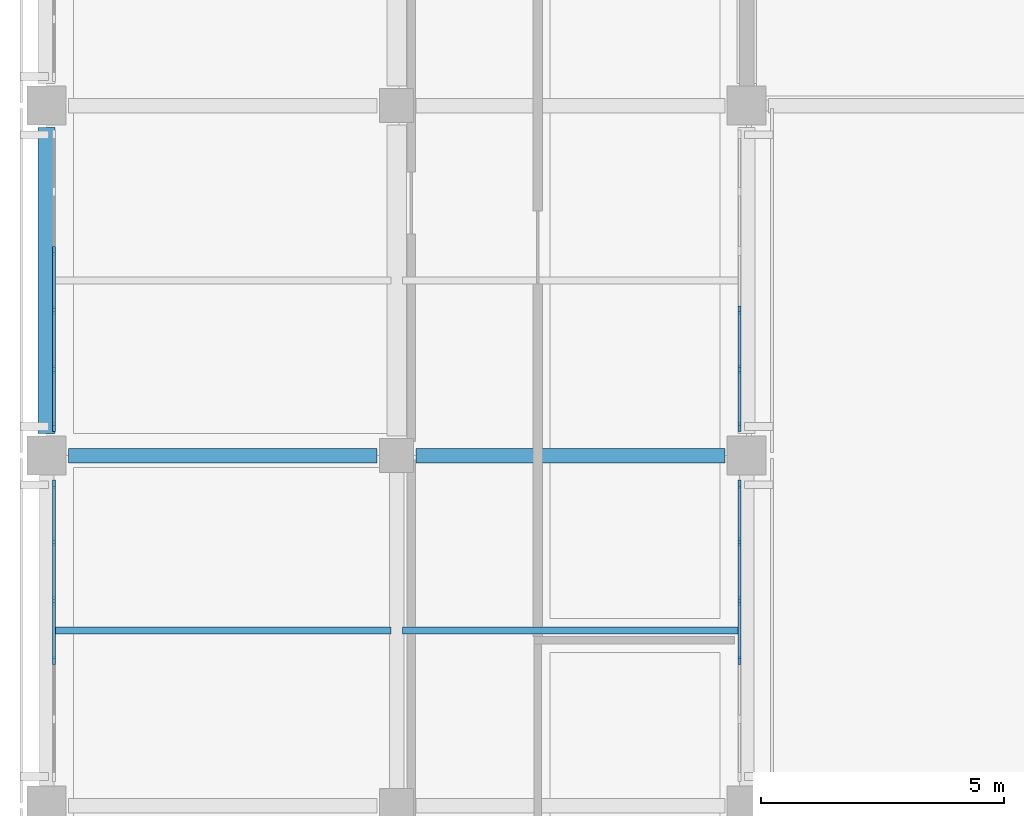
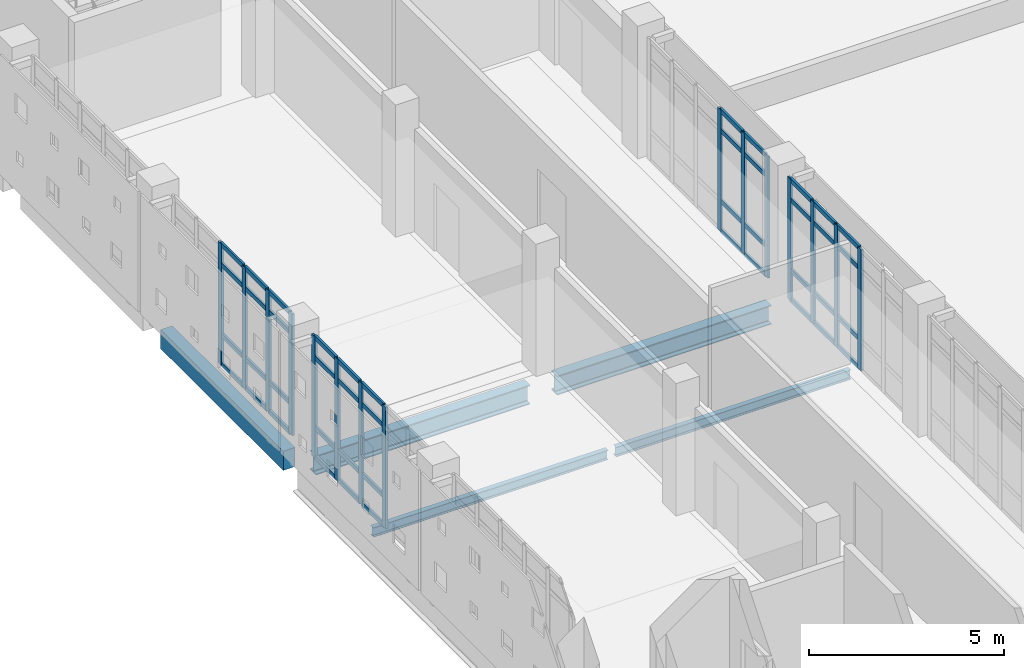
# One storey, part 7 of 51: 59 members, 5 beams, 4 elements without a shape of their own.
"""IFC4 building model written with IfcOpenShell, lengths in metres."""

from ifc_helpers import new_model, si_unit, direction, frame, origin, origin_2d, place, context, subcontext, project, spatial, rectangle, i_section, extrude, material, layer, layer_set, material_profile, profile_set, type_object, element, aggregate, save


model = new_model("IFC4")

# Units and contexts
model_context = context("Model", 3, precision=1e-05, world=origin(), true_north=direction((0.0, 1.0)))
body_context = subcontext(model_context, "Body", "Model", "MODEL_VIEW")
ifc_project = project(units=[si_unit("LENGTHUNIT", "METRE"), si_unit("AREAUNIT", "SQUARE_METRE"), si_unit("VOLUMEUNIT", "CUBIC_METRE"), si_unit("PLANEANGLEUNIT", "RADIAN"), si_unit("MASSUNIT", "GRAM", prefix="KILO")], contexts=[model_context])

# Site, building, storey
site_placement = place(None, origin())
site = spatial("IfcSite", under=ifc_project, at=site_placement, CompositionType="ELEMENT")
building_placement = place(site_placement, origin())
building = spatial("IfcBuilding", under=site, at=building_placement, Name="Valkovuoma Quantum and Materials Research Institute", CompositionType="ELEMENT")
storey_placement = place(building_placement, frame((0.0, 0.0, 17.280029296875)))
storey = spatial("IfcBuildingStorey", under=building, at=storey_placement, Name="L04", CompositionType="ELEMENT", Elevation=17.280029296875)

# Beams
ifc_material_1 = material(Name="Steel S355J2", Category="steel")
ifc_material_profile_1 = material_profile(ifc_material_1, i_section(OverallWidth=0.300048828125, OverallDepth=0.60009765625, WebThickness=0.015380859375, FlangeThickness=0.030029296875, FilletRadius=0.027099609375, at=origin_2d()), Name="Steel S355J2")
ifc_profile_set_1 = profile_set([ifc_material_profile_1], Name="Steel S355J2")
beam_type_1 = type_object("IfcBeamType", Name="Beam-B-HEB600", PredefinedType="BEAM", material=ifc_profile_set_1)
beam_1_placement = place(storey_placement, frame((0.449951171875, 57.60009765625, -0.650146484375), z_axis=(1.0, 0.0, 0.0), x_axis=(0.0, 1.0, 0.0)))
element("IfcBeam", 1, at=beam_1_placement, inside=storey, type_object=beam_type_1, Name="L04 beam X-1835", PredefinedType="BEAM", context=body_context, shape_type="SweptSolid", body=[
    extrude(i_section(OverallWidth=0.300048828125, OverallDepth=0.60009765625, WebThickness=0.015380859375, FlangeThickness=0.030029296875, FilletRadius=0.027099609375, at=origin_2d()), origin(), (0.0, 0.0, 1.0), 6.35009765625),
])
beam_2_placement = place(storey_placement, frame((7.60009765625, 57.60009765625, -0.650146484375), z_axis=(1.0, 0.0, 0.0), x_axis=(0.0, 1.0, 0.0)))
element("IfcBeam", 2, at=beam_2_placement, inside=storey, type_object=beam_type_1, Name="L04 beam X-1836", PredefinedType="BEAM", context=body_context, shape_type="SweptSolid", body=[
    extrude(i_section(OverallWidth=0.300048828125, OverallDepth=0.60009765625, WebThickness=0.015380859375, FlangeThickness=0.030029296875, FilletRadius=0.027099609375, at=origin_2d()), origin(), (0.0, 0.0, 1.0), 6.349853515625),
])
ifc_material_2 = material(Name="Steel S355J2", Category="steel")
ifc_material_profile_2 = material_profile(ifc_material_2, i_section(OverallWidth=0.14990234375, OverallDepth=0.300048828125, WebThickness=0.007080078125, FlangeThickness=0.0107421875, FilletRadius=0.014892578125, at=origin_2d()), Name="Steel S355J2")
ifc_profile_set_2 = profile_set([ifc_material_profile_2], Name="Steel S355J2")
beam_type_2 = type_object("IfcBeamType", Name="Beam-B-JST300", PredefinedType="JOIST", material=ifc_profile_set_2)
for number, where, z_axis, x_axis, name in (
    (3, (0.1201171875, 54.0, -0.5), (1.0, 0.0, 0.0), (0.0, 1.0, 0.0), "L04 floor joist 2033"),
    (4, (7.320068359375, 54.0, -0.5), (1.0, 0.0, 0.0), (0.0, 1.0, 0.0), "L04 floor joist 2034"),
):
    element("IfcBeam", number, at=place(storey_placement, frame(where, z_axis=z_axis, x_axis=x_axis)), inside=storey, type_object=beam_type_2, Name=name, PredefinedType="JOIST", context=body_context, shape_type="SweptSolid", body=[
        extrude(i_section(OverallWidth=0.14990234375, OverallDepth=0.300048828125, WebThickness=0.007080078125, FlangeThickness=0.0107421875, FilletRadius=0.014892578125, at=origin_2d()), origin(), (0.0, 0.0, 1.0), 6.9599609375),
    ])
ifc_material_3 = material(Name="Concrete C40/50", Category="concrete")
ifc_material_profile_3 = material_profile(ifc_material_3, rectangle(XDim=0.35009765625, YDim=0.60009765625, at=origin_2d()), Name="Concrete C40/50")
ifc_profile_set_3 = profile_set([ifc_material_profile_3], Name="Concrete C40/50")
beam_type_3 = type_object("IfcBeamType", Name="Beam-B-SPN600", PredefinedType="SPANDREL", material=ifc_profile_set_3)
beam_3_placement = place(storey_placement, frame((0.0, 58.050048828125, -0.650146484375), z_axis=(0.0, 1.0, 0.0), x_axis=(-1.0, 0.0, 0.0)))
element("IfcBeam", 5, at=beam_3_placement, inside=storey, type_object=beam_type_3, Name="L04 beam Y-1917", PredefinedType="SPANDREL", context=body_context, shape_type="SweptSolid", body=[
    extrude(rectangle(XDim=0.35009765625, YDim=0.60009765625, at=origin_2d()), origin(), (0.0, 0.0, 1.0), 6.300048828125),
])

# Curtain wall, members
ifc_material_4 = material(Name="Thermally broken aluminium and triple low-E glazing", Category="aluminium")
ifc_layer = layer(ifc_material_4, 0.219970703125)
ifc_layer_set = layer_set([ifc_layer], Name="Thermally broken aluminium and triple low-E glazing")
curtain_wall_type = type_object("IfcCurtainWallType", Name="CW-CW-01", PredefinedType="NOTDEFINED", material=ifc_layer_set)
curtain_wall_1_placement = place(storey_placement, origin())
curtain_wall_1 = element("IfcCurtainWall", 6, at=curtain_wall_1_placement, inside=storey, type_object=curtain_wall_type, Name="L04 curtain wall 045", PredefinedType="NOTDEFINED")
ifc_material_5 = material(Name="Anodised aluminium 6060-T66", Category="aluminium")
ifc_material_profile_4 = material_profile(ifc_material_5, rectangle(XDim=0.06494140625, YDim=0.179931640625, at=origin_2d()), Name="Anodised aluminium 6060-T66")
ifc_profile_set_4 = profile_set([ifc_material_profile_4], Name="Anodised aluminium 6060-T66")
member_type_1 = type_object("IfcMemberType", Name="CWMull-CWM-01", PredefinedType="MULLION", material=ifc_profile_set_4)
member_1_placement = place(storey_placement, frame((0.14990234375, 53.391357421875, 0.0), z_axis=(0.0, 0.0, 1.0), x_axis=(-1.0, 0.0, 0.0)))
member_1 = element("IfcMember", 7, at=member_1_placement, type_object=member_type_1, Name="CW-01 mullion 3", PredefinedType="MULLION", context=body_context, shape_type="SweptSolid", body=[
    extrude(rectangle(XDim=0.06494140625, YDim=0.179931640625, at=origin_2d()), origin(), (0.0, 0.0, 1.0), 3.81005859375),
])
member_2_placement = place(storey_placement, frame((0.14990234375, 54.608642578125, 0.0), z_axis=(0.0, 0.0, 1.0), x_axis=(-1.0, 0.0, 0.0)))
member_2 = element("IfcMember", 8, at=member_2_placement, type_object=member_type_1, Name="CW-01 mullion 4", PredefinedType="MULLION", context=body_context, shape_type="SweptSolid", body=[
    extrude(rectangle(XDim=0.06494140625, YDim=0.179931640625, at=origin_2d()), origin(), (0.0, 0.0, 1.0), 3.81005859375),
])
member_3_placement = place(storey_placement, frame((0.14990234375, 55.82568359375, 0.0), z_axis=(0.0, 0.0, 1.0), x_axis=(-1.0, 0.0, 0.0)))
member_3 = element("IfcMember", 9, at=member_3_placement, type_object=member_type_1, Name="CW-01 mullion 5", PredefinedType="MULLION", context=body_context, shape_type="SweptSolid", body=[
    extrude(rectangle(XDim=0.06494140625, YDim=0.179931640625, at=origin_2d()), origin(), (0.0, 0.0, 1.0), 3.81005859375),
])
member_4_placement = place(storey_placement, frame((0.14990234375, 57.010498046875, 0.0), z_axis=(0.0, 0.0, 1.0), x_axis=(-1.0, 0.0, 0.0)))
member_4 = element("IfcMember", 10, at=member_4_placement, type_object=member_type_1, Name="CW-01 mullion 6", PredefinedType="MULLION", context=body_context, shape_type="SweptSolid", body=[
    extrude(rectangle(XDim=0.06494140625, YDim=0.179931640625, at=origin_2d()), origin(), (0.0, 0.0, 1.0), 3.81005859375),
])

curtain_wall_2_placement = place(storey_placement, origin())
curtain_wall_2 = element("IfcCurtainWall", 11, at=curtain_wall_2_placement, inside=storey, type_object=curtain_wall_type, Name="L04 curtain wall 046", PredefinedType="NOTDEFINED")
member_5_placement = place(storey_placement, frame((14.25, 53.391357421875, 0.0), z_axis=(0.0, 0.0, 1.0), x_axis=(-1.0, 0.0, 0.0)))
member_5 = element("IfcMember", 12, at=member_5_placement, type_object=member_type_1, Name="CW-01 mullion 3", PredefinedType="MULLION", context=body_context, shape_type="SweptSolid", body=[
    extrude(rectangle(XDim=0.06494140625, YDim=0.179931640625, at=origin_2d()), origin(), (0.0, 0.0, 1.0), 3.81005859375),
])
member_6_placement = place(storey_placement, frame((14.25, 54.608642578125, 0.0), z_axis=(0.0, 0.0, 1.0), x_axis=(-1.0, 0.0, 0.0)))
member_6 = element("IfcMember", 13, at=member_6_placement, type_object=member_type_1, Name="CW-01 mullion 4", PredefinedType="MULLION", context=body_context, shape_type="SweptSolid", body=[
    extrude(rectangle(XDim=0.06494140625, YDim=0.179931640625, at=origin_2d()), origin(), (0.0, 0.0, 1.0), 3.81005859375),
])
member_7_placement = place(storey_placement, frame((14.25, 55.82568359375, 0.0), z_axis=(0.0, 0.0, 1.0), x_axis=(-1.0, 0.0, 0.0)))
member_7 = element("IfcMember", 14, at=member_7_placement, type_object=member_type_1, Name="CW-01 mullion 5", PredefinedType="MULLION", context=body_context, shape_type="SweptSolid", body=[
    extrude(rectangle(XDim=0.06494140625, YDim=0.179931640625, at=origin_2d()), origin(), (0.0, 0.0, 1.0), 3.81005859375),
])
member_8_placement = place(storey_placement, frame((14.25, 57.010498046875, 0.0), z_axis=(0.0, 0.0, 1.0), x_axis=(-1.0, 0.0, 0.0)))
member_8 = element("IfcMember", 15, at=member_8_placement, type_object=member_type_1, Name="CW-01 mullion 6", PredefinedType="MULLION", context=body_context, shape_type="SweptSolid", body=[
    extrude(rectangle(XDim=0.06494140625, YDim=0.179931640625, at=origin_2d()), origin(), (0.0, 0.0, 1.0), 3.81005859375),
])

curtain_wall_3_placement = place(storey_placement, origin())
curtain_wall_3 = element("IfcCurtainWall", 16, at=curtain_wall_3_placement, inside=storey, type_object=curtain_wall_type, Name="L04 curtain wall 047", PredefinedType="NOTDEFINED")
member_9_placement = place(storey_placement, frame((0.14990234375, 58.189697265625, 0.0), z_axis=(0.0, 0.0, 1.0), x_axis=(-1.0, 0.0, 0.0)))
member_9 = element("IfcMember", 17, at=member_9_placement, type_object=member_type_1, Name="CW-01 mullion 1", PredefinedType="MULLION", context=body_context, shape_type="SweptSolid", body=[
    extrude(rectangle(XDim=0.06494140625, YDim=0.179931640625, at=origin_2d()), origin(), (0.0, 0.0, 1.0), 3.81005859375),
])
member_10_placement = place(storey_placement, frame((0.14990234375, 59.374267578125, 0.0), z_axis=(0.0, 0.0, 1.0), x_axis=(-1.0, 0.0, 0.0)))
member_10 = element("IfcMember", 18, at=member_10_placement, type_object=member_type_1, Name="CW-01 mullion 2", PredefinedType="MULLION", context=body_context, shape_type="SweptSolid", body=[
    extrude(rectangle(XDim=0.06494140625, YDim=0.179931640625, at=origin_2d()), origin(), (0.0, 0.0, 1.0), 3.81005859375),
])
member_11_placement = place(storey_placement, frame((0.14990234375, 60.59130859375, 0.0), z_axis=(0.0, 0.0, 1.0), x_axis=(-1.0, 0.0, 0.0)))
member_11 = element("IfcMember", 19, at=member_11_placement, type_object=member_type_1, Name="CW-01 mullion 3", PredefinedType="MULLION", context=body_context, shape_type="SweptSolid", body=[
    extrude(rectangle(XDim=0.06494140625, YDim=0.179931640625, at=origin_2d()), origin(), (0.0, 0.0, 1.0), 3.81005859375),
])
member_12_placement = place(storey_placement, frame((0.14990234375, 61.80859375, 0.0), z_axis=(0.0, 0.0, 1.0), x_axis=(-1.0, 0.0, 0.0)))
member_12 = element("IfcMember", 20, at=member_12_placement, type_object=member_type_1, Name="CW-01 mullion 4", PredefinedType="MULLION", context=body_context, shape_type="SweptSolid", body=[
    extrude(rectangle(XDim=0.06494140625, YDim=0.179931640625, at=origin_2d()), origin(), (0.0, 0.0, 1.0), 3.81005859375),
])

curtain_wall_4_placement = place(storey_placement, origin())
curtain_wall_4 = element("IfcCurtainWall", 21, at=curtain_wall_4_placement, inside=storey, type_object=curtain_wall_type, Name="L04 curtain wall 048", PredefinedType="NOTDEFINED")
member_13_placement = place(storey_placement, frame((14.25, 58.189697265625, 0.0), z_axis=(0.0, 0.0, 1.0), x_axis=(-1.0, 0.0, 0.0)))
member_13 = element("IfcMember", 22, at=member_13_placement, type_object=member_type_1, Name="CW-01 mullion 1", PredefinedType="MULLION", context=body_context, shape_type="SweptSolid", body=[
    extrude(rectangle(XDim=0.06494140625, YDim=0.179931640625, at=origin_2d()), origin(), (0.0, 0.0, 1.0), 3.81005859375),
])
member_14_placement = place(storey_placement, frame((14.25, 59.374267578125, 0.0), z_axis=(0.0, 0.0, 1.0), x_axis=(-1.0, 0.0, 0.0)))
member_14 = element("IfcMember", 23, at=member_14_placement, type_object=member_type_1, Name="CW-01 mullion 2", PredefinedType="MULLION", context=body_context, shape_type="SweptSolid", body=[
    extrude(rectangle(XDim=0.06494140625, YDim=0.179931640625, at=origin_2d()), origin(), (0.0, 0.0, 1.0), 3.81005859375),
])
member_15_placement = place(storey_placement, frame((14.25, 60.59130859375, 0.0), z_axis=(0.0, 0.0, 1.0), x_axis=(-1.0, 0.0, 0.0)))
member_15 = element("IfcMember", 24, at=member_15_placement, type_object=member_type_1, Name="CW-01 mullion 3", PredefinedType="MULLION", context=body_context, shape_type="SweptSolid", body=[
    extrude(rectangle(XDim=0.06494140625, YDim=0.179931640625, at=origin_2d()), origin(), (0.0, 0.0, 1.0), 3.81005859375),
])

# Member
ifc_material_6 = material(Name="Anodised aluminium 6060-T66", Category="aluminium")
ifc_material_profile_5 = material_profile(ifc_material_6, rectangle(XDim=0.06494140625, YDim=0.139892578125, at=origin_2d()), Name="Anodised aluminium 6060-T66")
ifc_profile_set_5 = profile_set([ifc_material_profile_5], Name="Anodised aluminium 6060-T66")
member_type_2 = type_object("IfcMemberType", Name="CWTran-CWT-01", PredefinedType="USERDEFINED", material=ifc_profile_set_5)
member_16_placement = place(storey_placement, frame((0.14990234375, 53.423828125, 0.032470703125), z_axis=(0.0, 1.0, 0.0), x_axis=(-1.0, 0.0, 0.0)))
member_16 = element("IfcMember", 25, at=member_16_placement, type_object=member_type_2, Name="CW-01 transom 3.1", ObjectType="TRANSOM", PredefinedType="USERDEFINED", context=body_context, shape_type="SweptSolid", body=[
    extrude(rectangle(XDim=0.06494140625, YDim=0.139892578125, at=origin_2d()), origin(), (0.0, 0.0, 1.0), 1.15234375),
])

member_17_placement = place(storey_placement, frame((0.14990234375, 53.423828125, 0.949951171875), z_axis=(0.0, 1.0, 0.0), x_axis=(-1.0, 0.0, 0.0)))
member_17 = element("IfcMember", 26, at=member_17_placement, type_object=member_type_2, Name="CW-01 transom 3.2", ObjectType="TRANSOM", PredefinedType="USERDEFINED", context=body_context, shape_type="SweptSolid", body=[
    extrude(rectangle(XDim=0.06494140625, YDim=0.139892578125, at=origin_2d()), origin(), (0.0, 0.0, 1.0), 1.15234375),
])

member_18_placement = place(storey_placement, frame((0.14990234375, 53.423828125, 3.159912109375), z_axis=(0.0, 1.0, 0.0), x_axis=(-1.0, 0.0, 0.0)))
member_18 = element("IfcMember", 27, at=member_18_placement, type_object=member_type_2, Name="CW-01 transom 3.3", ObjectType="TRANSOM", PredefinedType="USERDEFINED", context=body_context, shape_type="SweptSolid", body=[
    extrude(rectangle(XDim=0.06494140625, YDim=0.139892578125, at=origin_2d()), origin(), (0.0, 0.0, 1.0), 1.15234375),
])

member_19_placement = place(storey_placement, frame((0.14990234375, 53.423828125, 3.777587890625), z_axis=(0.0, 1.0, 0.0), x_axis=(-1.0, 0.0, 0.0)))
member_19 = element("IfcMember", 28, at=member_19_placement, type_object=member_type_2, Name="CW-01 transom 3.4", ObjectType="TRANSOM", PredefinedType="USERDEFINED", context=body_context, shape_type="SweptSolid", body=[
    extrude(rectangle(XDim=0.06494140625, YDim=0.139892578125, at=origin_2d()), origin(), (0.0, 0.0, 1.0), 1.15234375),
])

member_20_placement = place(storey_placement, frame((0.14990234375, 54.64111328125, 0.032470703125), z_axis=(0.0, 1.0, 0.0), x_axis=(-1.0, 0.0, 0.0)))
member_20 = element("IfcMember", 29, at=member_20_placement, type_object=member_type_2, Name="CW-01 transom 4.1", ObjectType="TRANSOM", PredefinedType="USERDEFINED", context=body_context, shape_type="SweptSolid", body=[
    extrude(rectangle(XDim=0.06494140625, YDim=0.139892578125, at=origin_2d()), origin(), (0.0, 0.0, 1.0), 1.152099609375),
])

member_21_placement = place(storey_placement, frame((0.14990234375, 54.64111328125, 0.949951171875), z_axis=(0.0, 1.0, 0.0), x_axis=(-1.0, 0.0, 0.0)))
member_21 = element("IfcMember", 30, at=member_21_placement, type_object=member_type_2, Name="CW-01 transom 4.2", ObjectType="TRANSOM", PredefinedType="USERDEFINED", context=body_context, shape_type="SweptSolid", body=[
    extrude(rectangle(XDim=0.06494140625, YDim=0.139892578125, at=origin_2d()), origin(), (0.0, 0.0, 1.0), 1.152099609375),
])

member_22_placement = place(storey_placement, frame((0.14990234375, 54.64111328125, 3.159912109375), z_axis=(0.0, 1.0, 0.0), x_axis=(-1.0, 0.0, 0.0)))
member_22 = element("IfcMember", 31, at=member_22_placement, type_object=member_type_2, Name="CW-01 transom 4.3", ObjectType="TRANSOM", PredefinedType="USERDEFINED", context=body_context, shape_type="SweptSolid", body=[
    extrude(rectangle(XDim=0.06494140625, YDim=0.139892578125, at=origin_2d()), origin(), (0.0, 0.0, 1.0), 1.152099609375),
])

member_23_placement = place(storey_placement, frame((0.14990234375, 54.64111328125, 3.777587890625), z_axis=(0.0, 1.0, 0.0), x_axis=(-1.0, 0.0, 0.0)))
member_23 = element("IfcMember", 32, at=member_23_placement, type_object=member_type_2, Name="CW-01 transom 4.4", ObjectType="TRANSOM", PredefinedType="USERDEFINED", context=body_context, shape_type="SweptSolid", body=[
    extrude(rectangle(XDim=0.06494140625, YDim=0.139892578125, at=origin_2d()), origin(), (0.0, 0.0, 1.0), 1.152099609375),
])

member_24_placement = place(storey_placement, frame((0.14990234375, 55.858154296875, 0.032470703125), z_axis=(0.0, 1.0, 0.0), x_axis=(-1.0, 0.0, 0.0)))
member_24 = element("IfcMember", 33, at=member_24_placement, type_object=member_type_2, Name="CW-01 transom 5.1", ObjectType="TRANSOM", PredefinedType="USERDEFINED", context=body_context, shape_type="SweptSolid", body=[
    extrude(rectangle(XDim=0.06494140625, YDim=0.139892578125, at=origin_2d()), origin(), (0.0, 0.0, 1.0), 1.11962890625),
])

member_25_placement = place(storey_placement, frame((0.14990234375, 55.858154296875, 0.949951171875), z_axis=(0.0, 1.0, 0.0), x_axis=(-1.0, 0.0, 0.0)))
member_25 = element("IfcMember", 34, at=member_25_placement, type_object=member_type_2, Name="CW-01 transom 5.2", ObjectType="TRANSOM", PredefinedType="USERDEFINED", context=body_context, shape_type="SweptSolid", body=[
    extrude(rectangle(XDim=0.06494140625, YDim=0.139892578125, at=origin_2d()), origin(), (0.0, 0.0, 1.0), 1.11962890625),
])

member_26_placement = place(storey_placement, frame((0.14990234375, 55.858154296875, 3.159912109375), z_axis=(0.0, 1.0, 0.0), x_axis=(-1.0, 0.0, 0.0)))
member_26 = element("IfcMember", 35, at=member_26_placement, type_object=member_type_2, Name="CW-01 transom 5.3", ObjectType="TRANSOM", PredefinedType="USERDEFINED", context=body_context, shape_type="SweptSolid", body=[
    extrude(rectangle(XDim=0.06494140625, YDim=0.139892578125, at=origin_2d()), origin(), (0.0, 0.0, 1.0), 1.11962890625),
])

member_27_placement = place(storey_placement, frame((0.14990234375, 55.858154296875, 3.777587890625), z_axis=(0.0, 1.0, 0.0), x_axis=(-1.0, 0.0, 0.0)))
member_27 = element("IfcMember", 36, at=member_27_placement, type_object=member_type_2, Name="CW-01 transom 5.4", ObjectType="TRANSOM", PredefinedType="USERDEFINED", context=body_context, shape_type="SweptSolid", body=[
    extrude(rectangle(XDim=0.06494140625, YDim=0.139892578125, at=origin_2d()), origin(), (0.0, 0.0, 1.0), 1.11962890625),
])

aggregate(curtain_wall_1, [member_1, member_2, member_3, member_4, member_16, member_17, member_18, member_19, member_20, member_21, member_22, member_23, member_24, member_25, member_26, member_27])

member_28_placement = place(storey_placement, frame((14.25, 53.423828125, 0.032470703125), z_axis=(0.0, 1.0, 0.0), x_axis=(-1.0, 0.0, 0.0)))
member_28 = element("IfcMember", 37, at=member_28_placement, type_object=member_type_2, Name="CW-01 transom 3.1", ObjectType="TRANSOM", PredefinedType="USERDEFINED", context=body_context, shape_type="SweptSolid", body=[
    extrude(rectangle(XDim=0.06494140625, YDim=0.139892578125, at=origin_2d()), origin(), (0.0, 0.0, 1.0), 1.15234375),
])

member_29_placement = place(storey_placement, frame((14.25, 53.423828125, 0.949951171875), z_axis=(0.0, 1.0, 0.0), x_axis=(-1.0, 0.0, 0.0)))
member_29 = element("IfcMember", 38, at=member_29_placement, type_object=member_type_2, Name="CW-01 transom 3.2", ObjectType="TRANSOM", PredefinedType="USERDEFINED", context=body_context, shape_type="SweptSolid", body=[
    extrude(rectangle(XDim=0.06494140625, YDim=0.139892578125, at=origin_2d()), origin(), (0.0, 0.0, 1.0), 1.15234375),
])

member_30_placement = place(storey_placement, frame((14.25, 53.423828125, 3.159912109375), z_axis=(0.0, 1.0, 0.0), x_axis=(-1.0, 0.0, 0.0)))
member_30 = element("IfcMember", 39, at=member_30_placement, type_object=member_type_2, Name="CW-01 transom 3.3", ObjectType="TRANSOM", PredefinedType="USERDEFINED", context=body_context, shape_type="SweptSolid", body=[
    extrude(rectangle(XDim=0.06494140625, YDim=0.139892578125, at=origin_2d()), origin(), (0.0, 0.0, 1.0), 1.15234375),
])

member_31_placement = place(storey_placement, frame((14.25, 53.423828125, 3.777587890625), z_axis=(0.0, 1.0, 0.0), x_axis=(-1.0, 0.0, 0.0)))
member_31 = element("IfcMember", 40, at=member_31_placement, type_object=member_type_2, Name="CW-01 transom 3.4", ObjectType="TRANSOM", PredefinedType="USERDEFINED", context=body_context, shape_type="SweptSolid", body=[
    extrude(rectangle(XDim=0.06494140625, YDim=0.139892578125, at=origin_2d()), origin(), (0.0, 0.0, 1.0), 1.15234375),
])

member_32_placement = place(storey_placement, frame((14.25, 54.64111328125, 0.032470703125), z_axis=(0.0, 1.0, 0.0), x_axis=(-1.0, 0.0, 0.0)))
member_32 = element("IfcMember", 41, at=member_32_placement, type_object=member_type_2, Name="CW-01 transom 4.1", ObjectType="TRANSOM", PredefinedType="USERDEFINED", context=body_context, shape_type="SweptSolid", body=[
    extrude(rectangle(XDim=0.06494140625, YDim=0.139892578125, at=origin_2d()), origin(), (0.0, 0.0, 1.0), 1.152099609375),
])

member_33_placement = place(storey_placement, frame((14.25, 54.64111328125, 0.949951171875), z_axis=(0.0, 1.0, 0.0), x_axis=(-1.0, 0.0, 0.0)))
member_33 = element("IfcMember", 42, at=member_33_placement, type_object=member_type_2, Name="CW-01 transom 4.2", ObjectType="TRANSOM", PredefinedType="USERDEFINED", context=body_context, shape_type="SweptSolid", body=[
    extrude(rectangle(XDim=0.06494140625, YDim=0.139892578125, at=origin_2d()), origin(), (0.0, 0.0, 1.0), 1.152099609375),
])

member_34_placement = place(storey_placement, frame((14.25, 54.64111328125, 3.159912109375), z_axis=(0.0, 1.0, 0.0), x_axis=(-1.0, 0.0, 0.0)))
member_34 = element("IfcMember", 43, at=member_34_placement, type_object=member_type_2, Name="CW-01 transom 4.3", ObjectType="TRANSOM", PredefinedType="USERDEFINED", context=body_context, shape_type="SweptSolid", body=[
    extrude(rectangle(XDim=0.06494140625, YDim=0.139892578125, at=origin_2d()), origin(), (0.0, 0.0, 1.0), 1.152099609375),
])

member_35_placement = place(storey_placement, frame((14.25, 54.64111328125, 3.777587890625), z_axis=(0.0, 1.0, 0.0), x_axis=(-1.0, 0.0, 0.0)))
member_35 = element("IfcMember", 44, at=member_35_placement, type_object=member_type_2, Name="CW-01 transom 4.4", ObjectType="TRANSOM", PredefinedType="USERDEFINED", context=body_context, shape_type="SweptSolid", body=[
    extrude(rectangle(XDim=0.06494140625, YDim=0.139892578125, at=origin_2d()), origin(), (0.0, 0.0, 1.0), 1.152099609375),
])

member_36_placement = place(storey_placement, frame((14.25, 55.858154296875, 0.032470703125), z_axis=(0.0, 1.0, 0.0), x_axis=(-1.0, 0.0, 0.0)))
member_36 = element("IfcMember", 45, at=member_36_placement, type_object=member_type_2, Name="CW-01 transom 5.1", ObjectType="TRANSOM", PredefinedType="USERDEFINED", context=body_context, shape_type="SweptSolid", body=[
    extrude(rectangle(XDim=0.06494140625, YDim=0.139892578125, at=origin_2d()), origin(), (0.0, 0.0, 1.0), 1.11962890625),
])

member_37_placement = place(storey_placement, frame((14.25, 55.858154296875, 0.949951171875), z_axis=(0.0, 1.0, 0.0), x_axis=(-1.0, 0.0, 0.0)))
member_37 = element("IfcMember", 46, at=member_37_placement, type_object=member_type_2, Name="CW-01 transom 5.2", ObjectType="TRANSOM", PredefinedType="USERDEFINED", context=body_context, shape_type="SweptSolid", body=[
    extrude(rectangle(XDim=0.06494140625, YDim=0.139892578125, at=origin_2d()), origin(), (0.0, 0.0, 1.0), 1.11962890625),
])

member_38_placement = place(storey_placement, frame((14.25, 55.858154296875, 3.159912109375), z_axis=(0.0, 1.0, 0.0), x_axis=(-1.0, 0.0, 0.0)))
member_38 = element("IfcMember", 47, at=member_38_placement, type_object=member_type_2, Name="CW-01 transom 5.3", ObjectType="TRANSOM", PredefinedType="USERDEFINED", context=body_context, shape_type="SweptSolid", body=[
    extrude(rectangle(XDim=0.06494140625, YDim=0.139892578125, at=origin_2d()), origin(), (0.0, 0.0, 1.0), 1.11962890625),
])

member_39_placement = place(storey_placement, frame((14.25, 55.858154296875, 3.777587890625), z_axis=(0.0, 1.0, 0.0), x_axis=(-1.0, 0.0, 0.0)))
member_39 = element("IfcMember", 48, at=member_39_placement, type_object=member_type_2, Name="CW-01 transom 5.4", ObjectType="TRANSOM", PredefinedType="USERDEFINED", context=body_context, shape_type="SweptSolid", body=[
    extrude(rectangle(XDim=0.06494140625, YDim=0.139892578125, at=origin_2d()), origin(), (0.0, 0.0, 1.0), 1.11962890625),
])

aggregate(curtain_wall_2, [member_5, member_6, member_7, member_8, member_28, member_29, member_30, member_31, member_32, member_33, member_34, member_35, member_36, member_37, member_38, member_39])

member_40_placement = place(storey_placement, frame((0.14990234375, 58.22216796875, 0.032470703125), z_axis=(0.0, 1.0, 0.0), x_axis=(-1.0, 0.0, 0.0)))
member_40 = element("IfcMember", 49, at=member_40_placement, type_object=member_type_2, Name="CW-01 transom 1.1", ObjectType="TRANSOM", PredefinedType="USERDEFINED", context=body_context, shape_type="SweptSolid", body=[
    extrude(rectangle(XDim=0.06494140625, YDim=0.139892578125, at=origin_2d()), origin(), (0.0, 0.0, 1.0), 1.11962890625),
])

member_41_placement = place(storey_placement, frame((0.14990234375, 58.22216796875, 0.949951171875), z_axis=(0.0, 1.0, 0.0), x_axis=(-1.0, 0.0, 0.0)))
member_41 = element("IfcMember", 50, at=member_41_placement, type_object=member_type_2, Name="CW-01 transom 1.2", ObjectType="TRANSOM", PredefinedType="USERDEFINED", context=body_context, shape_type="SweptSolid", body=[
    extrude(rectangle(XDim=0.06494140625, YDim=0.139892578125, at=origin_2d()), origin(), (0.0, 0.0, 1.0), 1.11962890625),
])

member_42_placement = place(storey_placement, frame((0.14990234375, 58.22216796875, 3.159912109375), z_axis=(0.0, 1.0, 0.0), x_axis=(-1.0, 0.0, 0.0)))
member_42 = element("IfcMember", 51, at=member_42_placement, type_object=member_type_2, Name="CW-01 transom 1.3", ObjectType="TRANSOM", PredefinedType="USERDEFINED", context=body_context, shape_type="SweptSolid", body=[
    extrude(rectangle(XDim=0.06494140625, YDim=0.139892578125, at=origin_2d()), origin(), (0.0, 0.0, 1.0), 1.11962890625),
])

member_43_placement = place(storey_placement, frame((0.14990234375, 58.22216796875, 3.777587890625), z_axis=(0.0, 1.0, 0.0), x_axis=(-1.0, 0.0, 0.0)))
member_43 = element("IfcMember", 52, at=member_43_placement, type_object=member_type_2, Name="CW-01 transom 1.4", ObjectType="TRANSOM", PredefinedType="USERDEFINED", context=body_context, shape_type="SweptSolid", body=[
    extrude(rectangle(XDim=0.06494140625, YDim=0.139892578125, at=origin_2d()), origin(), (0.0, 0.0, 1.0), 1.11962890625),
])

member_44_placement = place(storey_placement, frame((0.14990234375, 59.40673828125, 0.032470703125), z_axis=(0.0, 1.0, 0.0), x_axis=(-1.0, 0.0, 0.0)))
member_44 = element("IfcMember", 53, at=member_44_placement, type_object=member_type_2, Name="CW-01 transom 2.1", ObjectType="TRANSOM", PredefinedType="USERDEFINED", context=body_context, shape_type="SweptSolid", body=[
    extrude(rectangle(XDim=0.06494140625, YDim=0.139892578125, at=origin_2d()), origin(), (0.0, 0.0, 1.0), 1.152099609375),
])

member_45_placement = place(storey_placement, frame((0.14990234375, 59.40673828125, 0.949951171875), z_axis=(0.0, 1.0, 0.0), x_axis=(-1.0, 0.0, 0.0)))
member_45 = element("IfcMember", 54, at=member_45_placement, type_object=member_type_2, Name="CW-01 transom 2.2", ObjectType="TRANSOM", PredefinedType="USERDEFINED", context=body_context, shape_type="SweptSolid", body=[
    extrude(rectangle(XDim=0.06494140625, YDim=0.139892578125, at=origin_2d()), origin(), (0.0, 0.0, 1.0), 1.152099609375),
])

member_46_placement = place(storey_placement, frame((0.14990234375, 59.40673828125, 3.159912109375), z_axis=(0.0, 1.0, 0.0), x_axis=(-1.0, 0.0, 0.0)))
member_46 = element("IfcMember", 55, at=member_46_placement, type_object=member_type_2, Name="CW-01 transom 2.3", ObjectType="TRANSOM", PredefinedType="USERDEFINED", context=body_context, shape_type="SweptSolid", body=[
    extrude(rectangle(XDim=0.06494140625, YDim=0.139892578125, at=origin_2d()), origin(), (0.0, 0.0, 1.0), 1.152099609375),
])

member_47_placement = place(storey_placement, frame((0.14990234375, 59.40673828125, 3.777587890625), z_axis=(0.0, 1.0, 0.0), x_axis=(-1.0, 0.0, 0.0)))
member_47 = element("IfcMember", 56, at=member_47_placement, type_object=member_type_2, Name="CW-01 transom 2.4", ObjectType="TRANSOM", PredefinedType="USERDEFINED", context=body_context, shape_type="SweptSolid", body=[
    extrude(rectangle(XDim=0.06494140625, YDim=0.139892578125, at=origin_2d()), origin(), (0.0, 0.0, 1.0), 1.152099609375),
])

member_48_placement = place(storey_placement, frame((0.14990234375, 60.6240234375, 0.032470703125), z_axis=(0.0, 1.0, 0.0), x_axis=(-1.0, 0.0, 0.0)))
member_48 = element("IfcMember", 57, at=member_48_placement, type_object=member_type_2, Name="CW-01 transom 3.1", ObjectType="TRANSOM", PredefinedType="USERDEFINED", context=body_context, shape_type="SweptSolid", body=[
    extrude(rectangle(XDim=0.06494140625, YDim=0.139892578125, at=origin_2d()), origin(), (0.0, 0.0, 1.0), 1.152099609375),
])

member_49_placement = place(storey_placement, frame((0.14990234375, 60.6240234375, 0.949951171875), z_axis=(0.0, 1.0, 0.0), x_axis=(-1.0, 0.0, 0.0)))
member_49 = element("IfcMember", 58, at=member_49_placement, type_object=member_type_2, Name="CW-01 transom 3.2", ObjectType="TRANSOM", PredefinedType="USERDEFINED", context=body_context, shape_type="SweptSolid", body=[
    extrude(rectangle(XDim=0.06494140625, YDim=0.139892578125, at=origin_2d()), origin(), (0.0, 0.0, 1.0), 1.152099609375),
])

member_50_placement = place(storey_placement, frame((0.14990234375, 60.6240234375, 3.159912109375), z_axis=(0.0, 1.0, 0.0), x_axis=(-1.0, 0.0, 0.0)))
member_50 = element("IfcMember", 59, at=member_50_placement, type_object=member_type_2, Name="CW-01 transom 3.3", ObjectType="TRANSOM", PredefinedType="USERDEFINED", context=body_context, shape_type="SweptSolid", body=[
    extrude(rectangle(XDim=0.06494140625, YDim=0.139892578125, at=origin_2d()), origin(), (0.0, 0.0, 1.0), 1.152099609375),
])

member_51_placement = place(storey_placement, frame((0.14990234375, 60.6240234375, 3.777587890625), z_axis=(0.0, 1.0, 0.0), x_axis=(-1.0, 0.0, 0.0)))
member_51 = element("IfcMember", 60, at=member_51_placement, type_object=member_type_2, Name="CW-01 transom 3.4", ObjectType="TRANSOM", PredefinedType="USERDEFINED", context=body_context, shape_type="SweptSolid", body=[
    extrude(rectangle(XDim=0.06494140625, YDim=0.139892578125, at=origin_2d()), origin(), (0.0, 0.0, 1.0), 1.152099609375),
])

aggregate(curtain_wall_3, [member_9, member_10, member_11, member_12, member_40, member_41, member_42, member_43, member_44, member_45, member_46, member_47, member_48, member_49, member_50, member_51])

member_52_placement = place(storey_placement, frame((14.25, 58.22216796875, 0.032470703125), z_axis=(0.0, 1.0, 0.0), x_axis=(-1.0, 0.0, 0.0)))
member_52 = element("IfcMember", 61, at=member_52_placement, type_object=member_type_2, Name="CW-01 transom 1.1", ObjectType="TRANSOM", PredefinedType="USERDEFINED", context=body_context, shape_type="SweptSolid", body=[
    extrude(rectangle(XDim=0.06494140625, YDim=0.139892578125, at=origin_2d()), origin(), (0.0, 0.0, 1.0), 1.11962890625),
])

member_53_placement = place(storey_placement, frame((14.25, 58.22216796875, 0.949951171875), z_axis=(0.0, 1.0, 0.0), x_axis=(-1.0, 0.0, 0.0)))
member_53 = element("IfcMember", 62, at=member_53_placement, type_object=member_type_2, Name="CW-01 transom 1.2", ObjectType="TRANSOM", PredefinedType="USERDEFINED", context=body_context, shape_type="SweptSolid", body=[
    extrude(rectangle(XDim=0.06494140625, YDim=0.139892578125, at=origin_2d()), origin(), (0.0, 0.0, 1.0), 1.11962890625),
])

member_54_placement = place(storey_placement, frame((14.25, 58.22216796875, 3.159912109375), z_axis=(0.0, 1.0, 0.0), x_axis=(-1.0, 0.0, 0.0)))
member_54 = element("IfcMember", 63, at=member_54_placement, type_object=member_type_2, Name="CW-01 transom 1.3", ObjectType="TRANSOM", PredefinedType="USERDEFINED", context=body_context, shape_type="SweptSolid", body=[
    extrude(rectangle(XDim=0.06494140625, YDim=0.139892578125, at=origin_2d()), origin(), (0.0, 0.0, 1.0), 1.11962890625),
])

member_55_placement = place(storey_placement, frame((14.25, 58.22216796875, 3.777587890625), z_axis=(0.0, 1.0, 0.0), x_axis=(-1.0, 0.0, 0.0)))
member_55 = element("IfcMember", 64, at=member_55_placement, type_object=member_type_2, Name="CW-01 transom 1.4", ObjectType="TRANSOM", PredefinedType="USERDEFINED", context=body_context, shape_type="SweptSolid", body=[
    extrude(rectangle(XDim=0.06494140625, YDim=0.139892578125, at=origin_2d()), origin(), (0.0, 0.0, 1.0), 1.11962890625),
])

member_56_placement = place(storey_placement, frame((14.25, 59.40673828125, 0.032470703125), z_axis=(0.0, 1.0, 0.0), x_axis=(-1.0, 0.0, 0.0)))
member_56 = element("IfcMember", 65, at=member_56_placement, type_object=member_type_2, Name="CW-01 transom 2.1", ObjectType="TRANSOM", PredefinedType="USERDEFINED", context=body_context, shape_type="SweptSolid", body=[
    extrude(rectangle(XDim=0.06494140625, YDim=0.139892578125, at=origin_2d()), origin(), (0.0, 0.0, 1.0), 1.152099609375),
])

member_57_placement = place(storey_placement, frame((14.25, 59.40673828125, 0.949951171875), z_axis=(0.0, 1.0, 0.0), x_axis=(-1.0, 0.0, 0.0)))
member_57 = element("IfcMember", 66, at=member_57_placement, type_object=member_type_2, Name="CW-01 transom 2.2", ObjectType="TRANSOM", PredefinedType="USERDEFINED", context=body_context, shape_type="SweptSolid", body=[
    extrude(rectangle(XDim=0.06494140625, YDim=0.139892578125, at=origin_2d()), origin(), (0.0, 0.0, 1.0), 1.152099609375),
])

member_58_placement = place(storey_placement, frame((14.25, 59.40673828125, 3.159912109375), z_axis=(0.0, 1.0, 0.0), x_axis=(-1.0, 0.0, 0.0)))
member_58 = element("IfcMember", 67, at=member_58_placement, type_object=member_type_2, Name="CW-01 transom 2.3", ObjectType="TRANSOM", PredefinedType="USERDEFINED", context=body_context, shape_type="SweptSolid", body=[
    extrude(rectangle(XDim=0.06494140625, YDim=0.139892578125, at=origin_2d()), origin(), (0.0, 0.0, 1.0), 1.152099609375),
])

member_59_placement = place(storey_placement, frame((14.25, 59.40673828125, 3.777587890625), z_axis=(0.0, 1.0, 0.0), x_axis=(-1.0, 0.0, 0.0)))
member_59 = element("IfcMember", 68, at=member_59_placement, type_object=member_type_2, Name="CW-01 transom 2.4", ObjectType="TRANSOM", PredefinedType="USERDEFINED", context=body_context, shape_type="SweptSolid", body=[
    extrude(rectangle(XDim=0.06494140625, YDim=0.139892578125, at=origin_2d()), origin(), (0.0, 0.0, 1.0), 1.152099609375),
])

aggregate(curtain_wall_4, [member_13, member_14, member_15, member_52, member_53, member_54, member_55, member_56, member_57, member_58, member_59])

save(model, "model.ifc")
